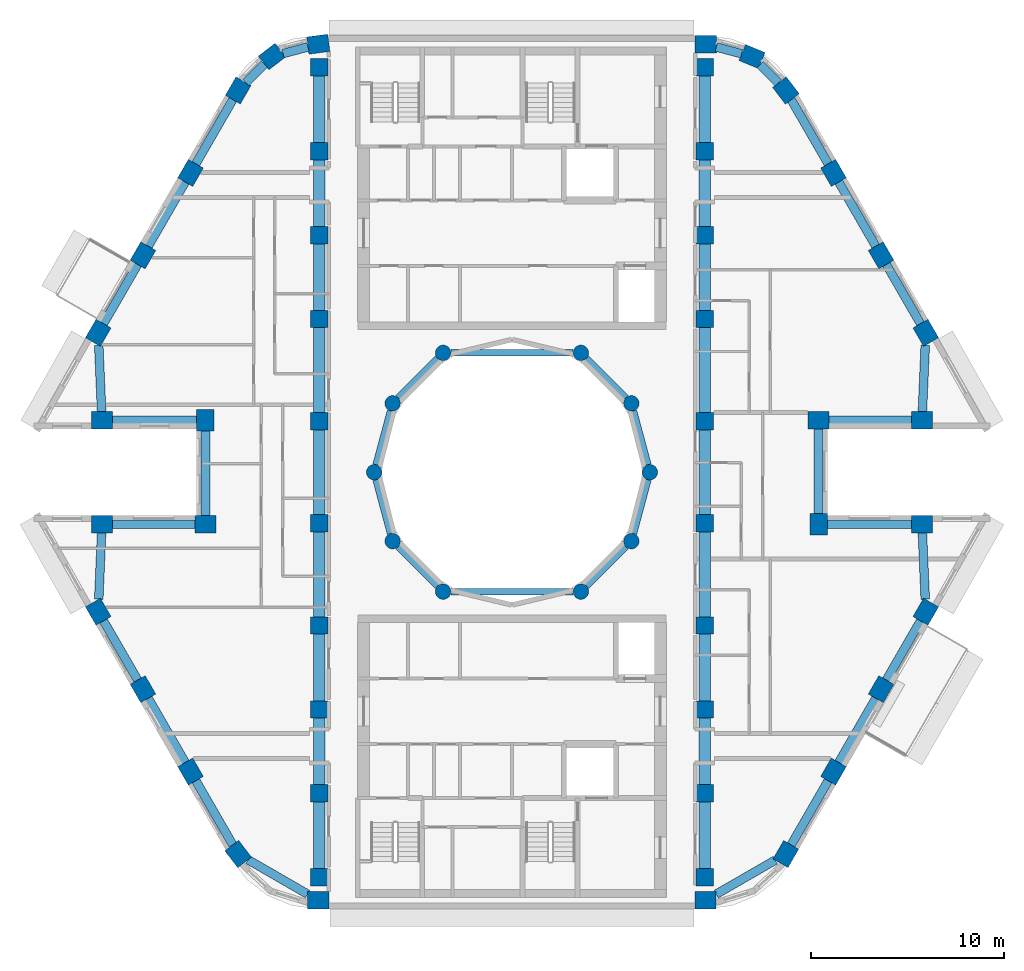
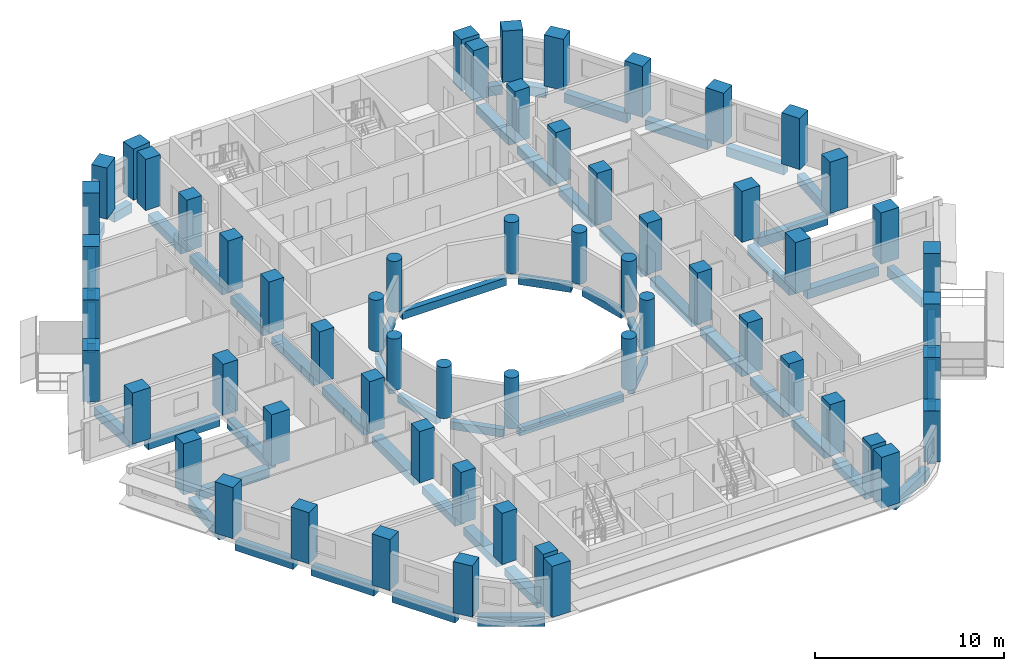
# One storey, part 1 of 14: 60 columns, 56 beams.
"""IFC4 building model written with IfcOpenShell, lengths in metres."""

from ifc_helpers import new_model, si_unit, direction, frame, origin, origin_2d, place, context, subcontext, project, spatial, rectangle, circle, extrude, material, material_profile, profile_set, type_object, element, save


model = new_model("IFC4")

# Units and contexts
model_context = context("Model", 3, precision=1e-05, world=origin(), true_north=direction((0.0, 1.0)))
body_context = subcontext(model_context, "Body", "Model", "MODEL_VIEW")
ifc_project = project(units=[si_unit("LENGTHUNIT", "METRE"), si_unit("AREAUNIT", "SQUARE_METRE"), si_unit("VOLUMEUNIT", "CUBIC_METRE"), si_unit("PLANEANGLEUNIT", "RADIAN"), si_unit("MASSUNIT", "GRAM", prefix="KILO")], contexts=[model_context])

# Site, building, storey
site_placement = place(None, origin())
site = spatial("IfcSite", under=ifc_project, at=site_placement, CompositionType="ELEMENT")
building_placement = place(site_placement, origin())
building = spatial("IfcBuilding", under=site, at=building_placement, Name="Nakaniwa Court", CompositionType="ELEMENT")
storey_placement = place(building_placement, frame((0.0, 0.0, 259.199951171875)))
storey = spatial("IfcBuildingStorey", under=building, at=storey_placement, Name="L68", CompositionType="ELEMENT", Elevation=259.199951171875)

# Columns
ifc_material = material(Name="Concrete C80/100", Category="concrete")
ifc_material_profile_1 = material_profile(ifc_material, rectangle(XDim=1.10009765625, YDim=0.89990234375, at=origin_2d()), Name="Concrete C80/100 RC 1100x900 perimeter column")
ifc_profile_set_1 = profile_set([ifc_material_profile_1], Name="Concrete C80/100")
column_type_1 = type_object("IfcColumnType", Name="Concrete C80/100 RC 1100x900 perimeter column", PredefinedType="COLUMN", material=ifc_profile_set_1)
for number, where, z_axis, x_axis, name in (
    (1, (69.95458984375, 102.199951171875, 0.0), (0.0, 0.0, 1.0), (-0.991442583111, -0.130543496177, 0.0), "COLUMN CO-01"),
    (2, (67.552001953125, 101.560302734375, 0.0), (0.0, 0.0, 1.0), (-0.793363965062, -0.608747582288, 0.0), "COLUMN CO-02"),
    (3, (65.796875, 99.799560546875, 0.0), (0.0, 0.0, 1.0), (-0.5, -0.866025403784, 0.0), "COLUMN CO-03"),
    (4, (63.328857421875, 95.524658203125, 0.0), (0.0, 0.0, 1.0), (-0.5, -0.866025403784, 0.0), "COLUMN CO-04"),
    (5, (60.860595703125, 91.249755859375, 0.0), (0.0, 0.0, 1.0), (-0.5, -0.866025403784, 0.0), "COLUMN CO-05"),
    (6, (58.541015625, 87.232177734375, 0.0), (0.0, 0.0, 1.0), (-0.5, -0.866025403784, 0.0), "COLUMN CO-06"),
    (7, (58.736083984375, 82.699951171875, 0.0), (0.0, 0.0, 1.0), (1.0, 0.0, 0.0), "COLUMN CO-08"),
    (8, (64.1005859375, 82.699951171875, 0.0), (0.0, 0.0, 1.0), (0.0, -1.0, 0.0), "COLUMN CO-09"),
    (9, (64.1005859375, 77.300048828125, 0.0), (0.0, 0.0, 1.0), (-1.0, 0.0, 0.0), "COLUMN CO-10"),
    (10, (58.736083984375, 77.300048828125, 0.0), (0.0, 0.0, 1.0), (-1.0, 0.0, 0.0), "COLUMN CO-11"),
    (11, (58.541015625, 72.767822265625, 0.0), (0.0, 0.0, 1.0), (0.5, -0.866025403784, 0.0), "COLUMN CO-13"),
    (12, (60.860595703125, 68.750244140625, 0.0), (0.0, 0.0, 1.0), (0.5, -0.866025403784, 0.0), "COLUMN CO-14"),
    (13, (63.328857421875, 64.475341796875, 0.0), (0.0, 0.0, 1.0), (0.5, -0.866025403784, 0.0), "COLUMN CO-15"),
    (14, (65.796875, 60.200439453125, 0.0), (0.0, 0.0, 1.0), (0.608761429009, -0.793353340291, 0.0), "COLUMN CO-16"),
    (15, (69.95458984375, 57.800048828125, 0.0), (0.0, 0.0, 1.0), (1.0, 0.0, 0.0), "COLUMN CO-17"),
    (16, (90.03955078125, 57.800048828125, 0.0), (0.0, 0.0, 1.0), (1.0, 0.0, 0.0), "COLUMN CO-21"),
    (17, (94.203125, 60.200439453125, 0.0), (0.0, 0.0, 1.0), (0.5, 0.866025403784, 0.0), "COLUMN CO-22"),
    (18, (96.671142578125, 64.475341796875, 0.0), (0.0, 0.0, 1.0), (0.5, 0.866025403784, 0.0), "COLUMN CO-23"),
    (19, (99.139404296875, 68.750244140625, 0.0), (0.0, 0.0, 1.0), (0.5, 0.866025403784, 0.0), "COLUMN CO-24"),
    (20, (101.458984375, 72.767822265625, 0.0), (0.0, 0.0, 1.0), (0.5, 0.866025403784, 0.0), "COLUMN CO-25"),
    (21, (101.263916015625, 77.300048828125, 0.0), (0.0, 0.0, 1.0), (-1.0, 0.0, 0.0), "COLUMN CO-27"),
    (22, (95.8994140625, 77.300048828125, 0.0), (0.0, 0.0, 1.0), (0.0, 1.0, 0.0), "COLUMN CO-28"),
    (23, (95.8994140625, 82.699951171875, 0.0), (0.0, 0.0, 1.0), (1.0, 0.0, 0.0), "COLUMN CO-29"),
    (24, (101.263916015625, 82.699951171875, 0.0), (0.0, 0.0, 1.0), (1.0, 0.0, 0.0), "COLUMN CO-30"),
    (25, (101.458984375, 87.232177734375, 0.0), (0.0, 0.0, 1.0), (-0.5, 0.866025403784, 0.0), "COLUMN CO-32"),
    (26, (99.139404296875, 91.249755859375, 0.0), (0.0, 0.0, 1.0), (-0.5, 0.866025403784, 0.0), "COLUMN CO-33"),
    (27, (96.671142578125, 95.524658203125, 0.0), (0.0, 0.0, 1.0), (-0.5, 0.866025403784, 0.0), "COLUMN CO-34"),
    (28, (94.203125, 99.799560546875, 0.0), (0.0, 0.0, 1.0), (-0.608761429009, 0.793353340291, 0.0), "COLUMN CO-35"),
    (29, (92.447998046875, 101.560302734375, 0.0), (0.0, 0.0, 1.0), (-0.923879532511, 0.382683432365, 0.0), "COLUMN CO-36"),
    (30, (90.04541015625, 102.199951171875, 0.0), (0.0, 0.0, 1.0), (-1.0, 0.0, 0.0), "COLUMN CO-37"),
):
    element("IfcColumn", number, at=place(storey_placement, frame(where, z_axis=z_axis, x_axis=x_axis)), inside=storey, type_object=column_type_1, Name=name, PredefinedType="COLUMN", context=body_context, shape_type="SweptSolid", body=[
        extrude(rectangle(XDim=1.10009765625, YDim=0.89990234375, at=origin_2d()), origin(), (0.0, 0.0, 1.0), 3.300048828125),
    ])
ifc_material_profile_2 = material_profile(ifc_material, rectangle(XDim=0.89990234375, YDim=0.89990234375, at=origin_2d()), Name="Concrete C80/100 RC 900x900 spine column")
ifc_profile_set_2 = profile_set([ifc_material_profile_2], Name="Concrete C80/100")
column_type_2 = type_object("IfcColumnType", Name="Concrete C80/100 RC 900x900 spine column", PredefinedType="COLUMN", material=ifc_profile_set_2)
for number, where, z_axis, x_axis, name in (
    (31, (90.0, 59.0, 0.0), (0.0, 0.0, 1.0), (0.0, 1.0, 0.0), "COLUMN CS-01"),
    (32, (90.0, 63.35009765625, 0.0), (0.0, 0.0, 1.0), (0.0, 1.0, 0.0), "COLUMN CS-02"),
    (33, (90.0, 67.699951171875, 0.0), (0.0, 0.0, 1.0), (0.0, 1.0, 0.0), "COLUMN CS-03"),
    (34, (90.0, 72.050048828125, 0.0), (0.0, 0.0, 1.0), (0.0, 1.0, 0.0), "COLUMN CS-04"),
    (35, (90.0, 77.35009765625, 0.0), (0.0, 0.0, 1.0), (0.0, 1.0, 0.0), "COLUMN CS-05"),
    (36, (90.0, 82.64990234375, 0.0), (0.0, 0.0, 1.0), (0.0, 1.0, 0.0), "COLUMN CS-06"),
    (37, (90.0, 87.949951171875, 0.0), (0.0, 0.0, 1.0), (0.0, 1.0, 0.0), "COLUMN CS-07"),
    (38, (90.0, 92.300048828125, 0.0), (0.0, 0.0, 1.0), (0.0, 1.0, 0.0), "COLUMN CS-08"),
    (39, (90.0, 96.64990234375, 0.0), (0.0, 0.0, 1.0), (0.0, 1.0, 0.0), "COLUMN CS-09"),
    (40, (90.0, 101.0, 0.0), (0.0, 0.0, 1.0), (0.0, 1.0, 0.0), "COLUMN CS-10"),
    (41, (70.0, 101.0, 0.0), (0.0, 0.0, 1.0), (0.0, -1.0, 0.0), "COLUMN CS-11"),
    (42, (70.0, 96.64990234375, 0.0), (0.0, 0.0, 1.0), (0.0, -1.0, 0.0), "COLUMN CS-12"),
    (43, (70.0, 92.300048828125, 0.0), (0.0, 0.0, 1.0), (0.0, -1.0, 0.0), "COLUMN CS-13"),
    (44, (70.0, 87.949951171875, 0.0), (0.0, 0.0, 1.0), (0.0, -1.0, 0.0), "COLUMN CS-14"),
    (45, (70.0, 82.64990234375, 0.0), (0.0, 0.0, 1.0), (0.0, -1.0, 0.0), "COLUMN CS-15"),
    (46, (70.0, 77.35009765625, 0.0), (0.0, 0.0, 1.0), (0.0, -1.0, 0.0), "COLUMN CS-16"),
    (47, (70.0, 72.050048828125, 0.0), (0.0, 0.0, 1.0), (0.0, -1.0, 0.0), "COLUMN CS-17"),
    (48, (70.0, 67.699951171875, 0.0), (0.0, 0.0, 1.0), (0.0, -1.0, 0.0), "COLUMN CS-18"),
    (49, (70.0, 63.35009765625, 0.0), (0.0, 0.0, 1.0), (0.0, -1.0, 0.0), "COLUMN CS-19"),
    (50, (70.0, 59.0, 0.0), (0.0, 0.0, 1.0), (0.0, -1.0, 0.0), "COLUMN CS-20"),
):
    element("IfcColumn", number, at=place(storey_placement, frame(where, z_axis=z_axis, x_axis=x_axis)), inside=storey, type_object=column_type_2, Name=name, PredefinedType="COLUMN", context=body_context, shape_type="SweptSolid", body=[
        extrude(rectangle(XDim=0.89990234375, YDim=0.89990234375, at=origin_2d()), origin(), (0.0, 0.0, 1.0), 3.300048828125),
    ])
ifc_material_profile_3 = material_profile(ifc_material, circle(Radius=0.39990234375, at=origin_2d()), Name="Concrete C80/100 RC D800 inner ring column")
ifc_profile_set_3 = profile_set([ifc_material_profile_3], Name="Concrete C80/100")
column_type_3 = type_object("IfcColumnType", Name="Concrete C80/100 RC D800 inner ring column", PredefinedType="COLUMN", material=ifc_profile_set_3)
for number, where, z_axis, x_axis, name in (
    (51, (87.14990234375, 80.0, 0.0), (0.0, 0.0, 1.0), (0.0, 1.0, 0.0), "COLUMN CI-01"),
    (52, (86.192138671875, 83.574951171875, 0.0), (0.0, 0.0, 1.0), (-0.5, 0.866025403784, 0.0), "COLUMN CI-02"),
    (53, (83.574951171875, 86.192138671875, 0.0), (0.0, 0.0, 1.0), (-0.866025403784, 0.5, 0.0), "COLUMN CI-03"),
    (54, (76.425048828125, 86.192138671875, 0.0), (0.0, 0.0, 1.0), (-0.866025403784, -0.5, 0.0), "COLUMN CI-05"),
    (55, (73.807861328125, 83.574951171875, 0.0), (0.0, 0.0, 1.0), (-0.5, -0.866025403784, 0.0), "COLUMN CI-06"),
    (56, (72.85009765625, 80.0, 0.0), (0.0, 0.0, 1.0), (0.0, -1.0, 0.0), "COLUMN CI-07"),
    (57, (73.807861328125, 76.425048828125, 0.0), (0.0, 0.0, 1.0), (0.5, -0.866025403784, 0.0), "COLUMN CI-08"),
    (58, (76.425048828125, 73.807861328125, 0.0), (0.0, 0.0, 1.0), (0.866025403784, -0.5, 0.0), "COLUMN CI-09"),
    (59, (83.574951171875, 73.807861328125, 0.0), (0.0, 0.0, 1.0), (0.866025403784, 0.5, 0.0), "COLUMN CI-11"),
    (60, (86.192138671875, 76.425048828125, 0.0), (0.0, 0.0, 1.0), (0.5, 0.866025403784, 0.0), "COLUMN CI-12"),
):
    element("IfcColumn", number, at=place(storey_placement, frame(where, z_axis=z_axis, x_axis=x_axis)), inside=storey, type_object=column_type_3, Name=name, PredefinedType="COLUMN", context=body_context, shape_type="SweptSolid", body=[
        extrude(circle(Radius=0.39990234375, at=origin_2d()), origin(), (0.0, 0.0, 1.0), 3.300048828125),
    ])

# Beams
ifc_material_profile_4 = material_profile(ifc_material, rectangle(XDim=0.35009765625, YDim=0.5, at=origin_2d()), Name="Concrete C80/100 RC 350x500 ring beam")
ifc_profile_set_4 = profile_set([ifc_material_profile_4], Name="Concrete C80/100")
beam_type_1 = type_object("IfcBeamType", Name="Concrete C80/100 RC 350x500 ring beam", PredefinedType="BEAM", material=ifc_profile_set_4)
beam_1_placement = place(storey_placement, frame((87.04638671875, 80.386474609375, -0.52490234375), z_axis=(-0.258778150207, 0.965936783115, 0.0), x_axis=(-0.965936783115, -0.258778150207, 0.0)))
element("IfcBeam", 61, at=beam_1_placement, inside=storey, type_object=beam_type_1, Name="RING BEAM", PredefinedType="BEAM", context=body_context, shape_type="SweptSolid", body=[
    extrude(rectangle(XDim=0.35009765625, YDim=0.5, at=origin_2d()), origin(), (0.0, 0.0, 1.0), 2.901123046875),
])
beam_2_placement = place(storey_placement, frame((85.9091796875, 83.85791015625, -0.52490234375), z_axis=(-0.707106781187, 0.707106781187, 0.0), x_axis=(-0.707106781187, -0.707106781187, 0.0)))
element("IfcBeam", 62, at=beam_2_placement, inside=storey, type_object=beam_type_1, Name="RING BEAM", PredefinedType="BEAM", context=body_context, shape_type="SweptSolid", body=[
    extrude(rectangle(XDim=0.35009765625, YDim=0.5, at=origin_2d()), origin(), (0.0, 0.0, 1.0), 2.90087890625),
])
beam_3_placement = place(storey_placement, frame((83.175048828125, 86.192138671875, -0.52490234375), z_axis=(-1.0, 0.0, 0.0), x_axis=(0.0, -1.0, 0.0)))
element("IfcBeam", 63, at=beam_3_placement, inside=storey, type_object=beam_type_1, Name="RING BEAM", PredefinedType="BEAM", context=body_context, shape_type="SweptSolid", body=[
    extrude(rectangle(XDim=0.35009765625, YDim=0.5, at=origin_2d()), origin(), (0.0, 0.0, 1.0), 6.35009765625),
])
beam_4_placement = place(storey_placement, frame((76.14208984375, 85.9091796875, -0.52490234375), z_axis=(-0.707106781187, -0.707106781187, 0.0), x_axis=(0.707106781187, -0.707106781187, 0.0)))
element("IfcBeam", 64, at=beam_4_placement, inside=storey, type_object=beam_type_1, Name="RING BEAM", PredefinedType="BEAM", context=body_context, shape_type="SweptSolid", body=[
    extrude(rectangle(XDim=0.35009765625, YDim=0.5, at=origin_2d()), origin(), (0.0, 0.0, 1.0), 2.90087890625),
])
for number, where, z_axis, x_axis, name in (
    (65, (73.704345703125, 83.188720703125, -0.52490234375), (-0.258778150207, -0.965936783115, 0.0), (0.965936783115, -0.258778150207, 0.0), "RING BEAM"),
    (66, (72.95361328125, 79.613525390625, -0.52490234375), (0.258778150207, -0.965936783115, 0.0), (0.965936783115, 0.258778150207, 0.0), "RING BEAM"),
):
    element("IfcBeam", number, at=place(storey_placement, frame(where, z_axis=z_axis, x_axis=x_axis)), inside=storey, type_object=beam_type_1, Name=name, PredefinedType="BEAM", context=body_context, shape_type="SweptSolid", body=[
        extrude(rectangle(XDim=0.35009765625, YDim=0.5, at=origin_2d()), origin(), (0.0, 0.0, 1.0), 2.901123046875),
    ])
beam_5_placement = place(storey_placement, frame((74.0908203125, 76.14208984375, -0.52490234375), z_axis=(0.707106781187, -0.707106781187, 0.0), x_axis=(0.707106781187, 0.707106781187, 0.0)))
element("IfcBeam", 67, at=beam_5_placement, inside=storey, type_object=beam_type_1, Name="RING BEAM", PredefinedType="BEAM", context=body_context, shape_type="SweptSolid", body=[
    extrude(rectangle(XDim=0.35009765625, YDim=0.5, at=origin_2d()), origin(), (0.0, 0.0, 1.0), 2.90087890625),
])
beam_6_placement = place(storey_placement, frame((76.824951171875, 73.807861328125, -0.52490234375), z_axis=(1.0, 0.0, 0.0), x_axis=(0.0, 1.0, 0.0)))
element("IfcBeam", 68, at=beam_6_placement, inside=storey, type_object=beam_type_1, Name="RING BEAM", PredefinedType="BEAM", context=body_context, shape_type="SweptSolid", body=[
    extrude(rectangle(XDim=0.35009765625, YDim=0.5, at=origin_2d()), origin(), (0.0, 0.0, 1.0), 6.35009765625),
])
beam_7_placement = place(storey_placement, frame((83.85791015625, 74.0908203125, -0.52490234375), z_axis=(0.707106781187, 0.707106781187, 0.0), x_axis=(-0.707106781187, 0.707106781187, 0.0)))
element("IfcBeam", 69, at=beam_7_placement, inside=storey, type_object=beam_type_1, Name="RING BEAM", PredefinedType="BEAM", context=body_context, shape_type="SweptSolid", body=[
    extrude(rectangle(XDim=0.35009765625, YDim=0.5, at=origin_2d()), origin(), (0.0, 0.0, 1.0), 2.90087890625),
])
beam_8_placement = place(storey_placement, frame((86.295654296875, 76.811279296875, -0.52490234375), z_axis=(0.258778150207, 0.965936783115, 0.0), x_axis=(-0.965936783115, 0.258778150207, 0.0)))
element("IfcBeam", 70, at=beam_8_placement, inside=storey, type_object=beam_type_1, Name="RING BEAM", PredefinedType="BEAM", context=body_context, shape_type="SweptSolid", body=[
    extrude(rectangle(XDim=0.35009765625, YDim=0.5, at=origin_2d()), origin(), (0.0, 0.0, 1.0), 2.901123046875),
])
ifc_material_profile_5 = material_profile(ifc_material, rectangle(XDim=0.449951171875, YDim=0.60009765625, at=origin_2d()), Name="Concrete C80/100 RC 450x600 spandrel beam")
ifc_profile_set_5 = profile_set([ifc_material_profile_5], Name="Concrete C80/100")
beam_type_2 = type_object("IfcBeamType", Name="Concrete C80/100 RC 450x600 spandrel beam", PredefinedType="BEAM", material=ifc_profile_set_5)
beam_9_placement = place(storey_placement, frame((69.418701171875, 102.057373046875, -0.574951171875), z_axis=(-0.966286479475, -0.257469298332, 0.0), x_axis=(0.257469298332, -0.966286479475, 0.0)))
element("IfcBeam", 71, at=beam_9_placement, inside=storey, type_object=beam_type_2, Name="SPANDREL BEAM", PredefinedType="BEAM", context=body_context, shape_type="SweptSolid", body=[
    extrude(rectangle(XDim=0.449951171875, YDim=0.60009765625, at=origin_2d()), origin(), (0.0, 0.0, 1.0), 1.3359375),
])
beam_10_placement = place(storey_placement, frame((67.160400390625, 101.167236328125, -0.574951171875), z_axis=(-0.706030517025, -0.708181409689, 0.0), x_axis=(0.708181409689, -0.706030517025, 0.0)))
element("IfcBeam", 72, at=beam_10_placement, inside=storey, type_object=beam_type_2, Name="SPANDREL BEAM", PredefinedType="BEAM", context=body_context, shape_type="SweptSolid", body=[
    extrude(rectangle(XDim=0.449951171875, YDim=0.60009765625, at=origin_2d()), origin(), (0.0, 0.0, 1.0), 1.362060546875),
])
for number, where, z_axis, x_axis, name in (
    (73, (65.52197265625, 99.3232421875, -0.574951171875), (-0.50001992892, -0.866013897511, 0.0), (0.866013897511, -0.50001992892, 0.0), "SPANDREL BEAM"),
    (74, (63.0537109375, 95.04833984375, -0.574951171875), (-0.499972197867, -0.866041454758, 0.0), (0.866041454758, -0.499972197867, 0.0), "SPANDREL BEAM"),
):
    element("IfcBeam", number, at=place(storey_placement, frame(where, z_axis=z_axis, x_axis=x_axis)), inside=storey, type_object=beam_type_2, Name=name, PredefinedType="BEAM", context=body_context, shape_type="SweptSolid", body=[
        extrude(rectangle(XDim=0.449951171875, YDim=0.60009765625, at=origin_2d()), origin(), (0.0, 0.0, 1.0), 3.836181640625),
    ])
beam_11_placement = place(storey_placement, frame((60.585693359375, 90.7734375, -0.574951171875), z_axis=(-0.499997139945, -0.866027055032, 0.0), x_axis=(0.866027055032, -0.499997139945, 0.0)))
element("IfcBeam", 75, at=beam_11_placement, inside=storey, type_object=beam_type_2, Name="SPANDREL BEAM", PredefinedType="BEAM", context=body_context, shape_type="SweptSolid", body=[
    extrude(rectangle(XDim=0.449951171875, YDim=0.60009765625, at=origin_2d()), origin(), (0.0, 0.0, 1.0), 3.5390625),
])
beam_12_placement = place(storey_placement, frame((58.569091796875, 86.580810546875, -0.574951171875), z_axis=(0.042940503042, -0.999077631217, 0.0), x_axis=(0.999077631217, 0.042940503042, 0.0)))
element("IfcBeam", 76, at=beam_12_placement, inside=storey, type_object=beam_type_2, Name="SPANDREL BEAM", PredefinedType="BEAM", context=body_context, shape_type="SweptSolid", body=[
    extrude(rectangle(XDim=0.449951171875, YDim=0.60009765625, at=origin_2d()), origin(), (0.0, 0.0, 1.0), 3.43408203125),
])
beam_13_placement = place(storey_placement, frame((59.285888671875, 82.699951171875, -0.574951171875), z_axis=(1.0, 0.0, 0.0), x_axis=(0.0, 1.0, 0.0)))
element("IfcBeam", 77, at=beam_13_placement, inside=storey, type_object=beam_type_2, Name="SPANDREL BEAM", PredefinedType="BEAM", context=body_context, shape_type="SweptSolid", body=[
    extrude(rectangle(XDim=0.449951171875, YDim=0.60009765625, at=origin_2d()), origin(), (0.0, 0.0, 1.0), 4.364501953125),
])
beam_14_placement = place(storey_placement, frame((64.1005859375, 82.14990234375, -0.574951171875), z_axis=(0.0, -1.0, 0.0), x_axis=(1.0, 0.0, 0.0)))
element("IfcBeam", 78, at=beam_14_placement, inside=storey, type_object=beam_type_2, Name="SPANDREL BEAM", PredefinedType="BEAM", context=body_context, shape_type="SweptSolid", body=[
    extrude(rectangle(XDim=0.449951171875, YDim=0.60009765625, at=origin_2d()), origin(), (0.0, 0.0, 1.0), 4.39990234375),
])
beam_15_placement = place(storey_placement, frame((63.550537109375, 77.300048828125, -0.574951171875), z_axis=(-1.0, 0.0, 0.0), x_axis=(0.0, -1.0, 0.0)))
element("IfcBeam", 79, at=beam_15_placement, inside=storey, type_object=beam_type_2, Name="SPANDREL BEAM", PredefinedType="BEAM", context=body_context, shape_type="SweptSolid", body=[
    extrude(rectangle(XDim=0.449951171875, YDim=0.60009765625, at=origin_2d()), origin(), (0.0, 0.0, 1.0), 4.2646484375),
])
beam_16_placement = place(storey_placement, frame((58.716552734375, 76.85009765625, -0.574951171875), z_axis=(-0.042940503042, -0.999077631217, 0.0), x_axis=(0.999077631217, -0.042940503042, 0.0)))
element("IfcBeam", 80, at=beam_16_placement, inside=storey, type_object=beam_type_2, Name="SPANDREL BEAM", PredefinedType="BEAM", context=body_context, shape_type="SweptSolid", body=[
    extrude(rectangle(XDim=0.449951171875, YDim=0.60009765625, at=origin_2d()), origin(), (0.0, 0.0, 1.0), 3.43408203125),
])
beam_17_placement = place(storey_placement, frame((58.816162109375, 72.29150390625, -0.574951171875), z_axis=(0.499997139945, -0.866027055032, 0.0), x_axis=(0.866027055032, 0.499997139945, 0.0)))
element("IfcBeam", 81, at=beam_17_placement, inside=storey, type_object=beam_type_2, Name="SPANDREL BEAM", PredefinedType="BEAM", context=body_context, shape_type="SweptSolid", body=[
    extrude(rectangle(XDim=0.449951171875, YDim=0.60009765625, at=origin_2d()), origin(), (0.0, 0.0, 1.0), 3.5390625),
])
beam_18_placement = place(storey_placement, frame((61.1357421875, 68.27392578125, -0.574951171875), z_axis=(0.499972197867, -0.866041454758, 0.0), x_axis=(0.866041454758, 0.499972197867, 0.0)))
element("IfcBeam", 82, at=beam_18_placement, inside=storey, type_object=beam_type_2, Name="SPANDREL BEAM", PredefinedType="BEAM", context=body_context, shape_type="SweptSolid", body=[
    extrude(rectangle(XDim=0.449951171875, YDim=0.60009765625, at=origin_2d()), origin(), (0.0, 0.0, 1.0), 3.836181640625),
])
beam_19_placement = place(storey_placement, frame((63.603759765625, 63.9990234375, -0.574951171875), z_axis=(0.500011110731, -0.866018988906, 0.0), x_axis=(0.866018988906, 0.500011110731, 0.0)))
element("IfcBeam", 83, at=beam_19_placement, inside=storey, type_object=beam_type_2, Name="SPANDREL BEAM", PredefinedType="BEAM", context=body_context, shape_type="SweptSolid", body=[
    extrude(rectangle(XDim=0.449951171875, YDim=0.60009765625, at=origin_2d()), origin(), (0.0, 0.0, 1.0), 3.83154296875),
])
beam_20_placement = place(storey_placement, frame((66.3125, 59.90283203125, -0.574951171875), z_axis=(0.866017069707, -0.500014434768, 0.0), x_axis=(0.500014434768, 0.866017069707, 0.0)))
element("IfcBeam", 84, at=beam_20_placement, inside=storey, type_object=beam_type_2, Name="SPANDREL BEAM", PredefinedType="BEAM", context=body_context, shape_type="SweptSolid", body=[
    extrude(rectangle(XDim=0.449951171875, YDim=0.60009765625, at=origin_2d()), origin(), (0.0, 0.0, 1.0), 3.57080078125),
])
beam_21_placement = place(storey_placement, frame((90.589599609375, 58.1171875, -0.574951171875), z_axis=(0.866307414098, 0.499511225378, 0.0), x_axis=(-0.499511225378, 0.866307414098, 0.0)))
element("IfcBeam", 85, at=beam_21_placement, inside=storey, type_object=beam_type_2, Name="SPANDREL BEAM", PredefinedType="BEAM", context=body_context, shape_type="SweptSolid", body=[
    extrude(rectangle(XDim=0.449951171875, YDim=0.60009765625, at=origin_2d()), origin(), (0.0, 0.0, 1.0), 3.53564453125),
])
for number, where, z_axis, x_axis, name in (
    (86, (94.47802734375, 60.6767578125, -0.574951171875), (0.50001992892, 0.866013897511, 0.0), (-0.866013897511, 0.50001992892, 0.0), "SPANDREL BEAM"),
    (87, (96.9462890625, 64.95166015625, -0.574951171875), (0.499972197867, 0.866041454758, 0.0), (-0.866041454758, 0.499972197867, 0.0), "SPANDREL BEAM"),
):
    element("IfcBeam", number, at=place(storey_placement, frame(where, z_axis=z_axis, x_axis=x_axis)), inside=storey, type_object=beam_type_2, Name=name, PredefinedType="BEAM", context=body_context, shape_type="SweptSolid", body=[
        extrude(rectangle(XDim=0.449951171875, YDim=0.60009765625, at=origin_2d()), origin(), (0.0, 0.0, 1.0), 3.836181640625),
    ])
beam_22_placement = place(storey_placement, frame((99.414306640625, 69.2265625, -0.574951171875), z_axis=(0.499997139945, 0.866027055032, 0.0), x_axis=(-0.866027055032, 0.499997139945, 0.0)))
element("IfcBeam", 88, at=beam_22_placement, inside=storey, type_object=beam_type_2, Name="SPANDREL BEAM", PredefinedType="BEAM", context=body_context, shape_type="SweptSolid", body=[
    extrude(rectangle(XDim=0.449951171875, YDim=0.60009765625, at=origin_2d()), origin(), (0.0, 0.0, 1.0), 3.5390625),
])
beam_23_placement = place(storey_placement, frame((101.430908203125, 73.419189453125, -0.574951171875), z_axis=(-0.042940503042, 0.999077631217, 0.0), x_axis=(-0.999077631217, -0.042940503042, 0.0)))
element("IfcBeam", 89, at=beam_23_placement, inside=storey, type_object=beam_type_2, Name="SPANDREL BEAM", PredefinedType="BEAM", context=body_context, shape_type="SweptSolid", body=[
    extrude(rectangle(XDim=0.449951171875, YDim=0.60009765625, at=origin_2d()), origin(), (0.0, 0.0, 1.0), 3.43408203125),
])
beam_24_placement = place(storey_placement, frame((100.714111328125, 77.300048828125, -0.574951171875), z_axis=(-1.0, 0.0, 0.0), x_axis=(0.0, -1.0, 0.0)))
element("IfcBeam", 90, at=beam_24_placement, inside=storey, type_object=beam_type_2, Name="SPANDREL BEAM", PredefinedType="BEAM", context=body_context, shape_type="SweptSolid", body=[
    extrude(rectangle(XDim=0.449951171875, YDim=0.60009765625, at=origin_2d()), origin(), (0.0, 0.0, 1.0), 4.364501953125),
])
beam_25_placement = place(storey_placement, frame((95.8994140625, 77.85009765625, -0.574951171875), z_axis=(0.0, 1.0, 0.0), x_axis=(-1.0, 0.0, 0.0)))
element("IfcBeam", 91, at=beam_25_placement, inside=storey, type_object=beam_type_2, Name="SPANDREL BEAM", PredefinedType="BEAM", context=body_context, shape_type="SweptSolid", body=[
    extrude(rectangle(XDim=0.449951171875, YDim=0.60009765625, at=origin_2d()), origin(), (0.0, 0.0, 1.0), 4.39990234375),
])
beam_26_placement = place(storey_placement, frame((96.449462890625, 82.699951171875, -0.574951171875), z_axis=(1.0, 0.0, 0.0), x_axis=(0.0, 1.0, 0.0)))
element("IfcBeam", 92, at=beam_26_placement, inside=storey, type_object=beam_type_2, Name="SPANDREL BEAM", PredefinedType="BEAM", context=body_context, shape_type="SweptSolid", body=[
    extrude(rectangle(XDim=0.449951171875, YDim=0.60009765625, at=origin_2d()), origin(), (0.0, 0.0, 1.0), 4.2646484375),
])
beam_27_placement = place(storey_placement, frame((101.283447265625, 83.14990234375, -0.574951171875), z_axis=(0.042940503042, 0.999077631217, 0.0), x_axis=(-0.999077631217, 0.042940503042, 0.0)))
element("IfcBeam", 93, at=beam_27_placement, inside=storey, type_object=beam_type_2, Name="SPANDREL BEAM", PredefinedType="BEAM", context=body_context, shape_type="SweptSolid", body=[
    extrude(rectangle(XDim=0.449951171875, YDim=0.60009765625, at=origin_2d()), origin(), (0.0, 0.0, 1.0), 3.43408203125),
])
beam_28_placement = place(storey_placement, frame((101.183837890625, 87.70849609375, -0.574951171875), z_axis=(-0.499997139945, 0.866027055032, 0.0), x_axis=(-0.866027055032, -0.499997139945, 0.0)))
element("IfcBeam", 94, at=beam_28_placement, inside=storey, type_object=beam_type_2, Name="SPANDREL BEAM", PredefinedType="BEAM", context=body_context, shape_type="SweptSolid", body=[
    extrude(rectangle(XDim=0.449951171875, YDim=0.60009765625, at=origin_2d()), origin(), (0.0, 0.0, 1.0), 3.5390625),
])
beam_29_placement = place(storey_placement, frame((98.8642578125, 91.72607421875, -0.574951171875), z_axis=(-0.499972197867, 0.866041454758, 0.0), x_axis=(-0.866041454758, -0.499972197867, 0.0)))
element("IfcBeam", 95, at=beam_29_placement, inside=storey, type_object=beam_type_2, Name="SPANDREL BEAM", PredefinedType="BEAM", context=body_context, shape_type="SweptSolid", body=[
    extrude(rectangle(XDim=0.449951171875, YDim=0.60009765625, at=origin_2d()), origin(), (0.0, 0.0, 1.0), 3.836181640625),
])
beam_30_placement = place(storey_placement, frame((96.396240234375, 96.0009765625, -0.574951171875), z_axis=(-0.500011110731, 0.866018988906, 0.0), x_axis=(-0.866018988906, -0.500011110731, 0.0)))
element("IfcBeam", 96, at=beam_30_placement, inside=storey, type_object=beam_type_2, Name="SPANDREL BEAM", PredefinedType="BEAM", context=body_context, shape_type="SweptSolid", body=[
    extrude(rectangle(XDim=0.449951171875, YDim=0.60009765625, at=origin_2d()), origin(), (0.0, 0.0, 1.0), 3.83154296875),
])
beam_31_placement = place(storey_placement, frame((93.8115234375, 100.1923828125, -0.574951171875), z_axis=(-0.706100745773, 0.708111387296, 0.0), x_axis=(-0.708111387296, -0.706100745773, 0.0)))
element("IfcBeam", 97, at=beam_31_placement, inside=storey, type_object=beam_type_2, Name="SPANDREL BEAM", PredefinedType="BEAM", context=body_context, shape_type="SweptSolid", body=[
    extrude(rectangle(XDim=0.449951171875, YDim=0.60009765625, at=origin_2d()), origin(), (0.0, 0.0, 1.0), 1.335693359375),
])
beam_32_placement = place(storey_placement, frame((91.91162109375, 101.702880859375, -0.574951171875), z_axis=(-0.966318174979, 0.257350315146, 0.0), x_axis=(-0.257350315146, -0.966318174979, 0.0)))
element("IfcBeam", 98, at=beam_32_placement, inside=storey, type_object=beam_type_2, Name="SPANDREL BEAM", PredefinedType="BEAM", context=body_context, shape_type="SweptSolid", body=[
    extrude(rectangle(XDim=0.449951171875, YDim=0.60009765625, at=origin_2d()), origin(), (0.0, 0.0, 1.0), 1.3623046875),
])
ifc_material_profile_6 = material_profile(ifc_material, rectangle(XDim=0.60009765625, YDim=0.5, at=origin_2d()), Name="Concrete C80/100 RC 600x500 ring beam")
ifc_profile_set_6 = profile_set([ifc_material_profile_6], Name="Concrete C80/100")
beam_type_3 = type_object("IfcBeamType", Name="Concrete C80/100 RC 600x500 ring beam", PredefinedType="BEAM", material=ifc_profile_set_6)
for number, where, z_axis, x_axis, name in (
    (99, (90.0, 59.449951171875, -0.52490234375), (0.0, 1.0, 0.0), (-1.0, 0.0, 0.0), "RING BEAM"),
    (100, (90.0, 63.800048828125, -0.52490234375), (0.0, 1.0, 0.0), (-1.0, 0.0, 0.0), "RING BEAM"),
):
    element("IfcBeam", number, at=place(storey_placement, frame(where, z_axis=z_axis, x_axis=x_axis)), inside=storey, type_object=beam_type_3, Name=name, PredefinedType="BEAM", context=body_context, shape_type="SweptSolid", body=[
        extrude(rectangle(XDim=0.60009765625, YDim=0.5, at=origin_2d()), origin(), (0.0, 0.0, 1.0), 3.449951171875),
    ])
beam_33_placement = place(storey_placement, frame((90.0, 68.14990234375, -0.52490234375), z_axis=(0.0, 1.0, 0.0), x_axis=(-1.0, 0.0, 0.0)))
element("IfcBeam", 101, at=beam_33_placement, inside=storey, type_object=beam_type_3, Name="RING BEAM", PredefinedType="BEAM", context=body_context, shape_type="SweptSolid", body=[
    extrude(rectangle(XDim=0.60009765625, YDim=0.5, at=origin_2d()), origin(), (0.0, 0.0, 1.0), 3.4501953125),
])
for number, where, z_axis, x_axis, name in (
    (102, (90.0, 72.5, -0.52490234375), (0.0, 1.0, 0.0), (-1.0, 0.0, 0.0), "RING BEAM"),
    (103, (90.0, 77.800048828125, -0.52490234375), (0.0, 1.0, 0.0), (-1.0, 0.0, 0.0), "RING BEAM"),
    (104, (90.0, 83.10009765625, -0.52490234375), (0.0, 1.0, 0.0), (-1.0, 0.0, 0.0), "RING BEAM"),
):
    element("IfcBeam", number, at=place(storey_placement, frame(where, z_axis=z_axis, x_axis=x_axis)), inside=storey, type_object=beam_type_3, Name=name, PredefinedType="BEAM", context=body_context, shape_type="SweptSolid", body=[
        extrude(rectangle(XDim=0.60009765625, YDim=0.5, at=origin_2d()), origin(), (0.0, 0.0, 1.0), 4.39990234375),
    ])
beam_34_placement = place(storey_placement, frame((90.0, 88.39990234375, -0.52490234375), z_axis=(0.0, 1.0, 0.0), x_axis=(-1.0, 0.0, 0.0)))
element("IfcBeam", 105, at=beam_34_placement, inside=storey, type_object=beam_type_3, Name="RING BEAM", PredefinedType="BEAM", context=body_context, shape_type="SweptSolid", body=[
    extrude(rectangle(XDim=0.60009765625, YDim=0.5, at=origin_2d()), origin(), (0.0, 0.0, 1.0), 3.4501953125),
])
for number, where, z_axis, x_axis, name in (
    (106, (90.0, 92.75, -0.52490234375), (0.0, 1.0, 0.0), (-1.0, 0.0, 0.0), "RING BEAM"),
    (107, (90.0, 97.10009765625, -0.52490234375), (0.0, 1.0, 0.0), (-1.0, 0.0, 0.0), "RING BEAM"),
    (108, (70.0, 100.550048828125, -0.52490234375), (0.0, -1.0, 0.0), (1.0, 0.0, 0.0), "RING BEAM"),
    (109, (70.0, 96.199951171875, -0.52490234375), (0.0, -1.0, 0.0), (1.0, 0.0, 0.0), "RING BEAM"),
):
    element("IfcBeam", number, at=place(storey_placement, frame(where, z_axis=z_axis, x_axis=x_axis)), inside=storey, type_object=beam_type_3, Name=name, PredefinedType="BEAM", context=body_context, shape_type="SweptSolid", body=[
        extrude(rectangle(XDim=0.60009765625, YDim=0.5, at=origin_2d()), origin(), (0.0, 0.0, 1.0), 3.449951171875),
    ])
beam_35_placement = place(storey_placement, frame((70.0, 91.85009765625, -0.52490234375), z_axis=(0.0, -1.0, 0.0), x_axis=(1.0, 0.0, 0.0)))
element("IfcBeam", 110, at=beam_35_placement, inside=storey, type_object=beam_type_3, Name="RING BEAM", PredefinedType="BEAM", context=body_context, shape_type="SweptSolid", body=[
    extrude(rectangle(XDim=0.60009765625, YDim=0.5, at=origin_2d()), origin(), (0.0, 0.0, 1.0), 3.4501953125),
])
for number, where, z_axis, x_axis, name in (
    (111, (70.0, 87.5, -0.52490234375), (0.0, -1.0, 0.0), (1.0, 0.0, 0.0), "RING BEAM"),
    (112, (70.0, 82.199951171875, -0.52490234375), (0.0, -1.0, 0.0), (1.0, 0.0, 0.0), "RING BEAM"),
    (113, (70.0, 76.89990234375, -0.52490234375), (0.0, -1.0, 0.0), (1.0, 0.0, 0.0), "RING BEAM"),
):
    element("IfcBeam", number, at=place(storey_placement, frame(where, z_axis=z_axis, x_axis=x_axis)), inside=storey, type_object=beam_type_3, Name=name, PredefinedType="BEAM", context=body_context, shape_type="SweptSolid", body=[
        extrude(rectangle(XDim=0.60009765625, YDim=0.5, at=origin_2d()), origin(), (0.0, 0.0, 1.0), 4.39990234375),
    ])
beam_36_placement = place(storey_placement, frame((70.0, 71.60009765625, -0.52490234375), z_axis=(0.0, -1.0, 0.0), x_axis=(1.0, 0.0, 0.0)))
element("IfcBeam", 114, at=beam_36_placement, inside=storey, type_object=beam_type_3, Name="RING BEAM", PredefinedType="BEAM", context=body_context, shape_type="SweptSolid", body=[
    extrude(rectangle(XDim=0.60009765625, YDim=0.5, at=origin_2d()), origin(), (0.0, 0.0, 1.0), 3.4501953125),
])
for number, where, z_axis, x_axis, name in (
    (115, (70.0, 67.25, -0.52490234375), (0.0, -1.0, 0.0), (1.0, 0.0, 0.0), "RING BEAM"),
    (116, (70.0, 62.89990234375, -0.52490234375), (0.0, -1.0, 0.0), (1.0, 0.0, 0.0), "RING BEAM"),
):
    element("IfcBeam", number, at=place(storey_placement, frame(where, z_axis=z_axis, x_axis=x_axis)), inside=storey, type_object=beam_type_3, Name=name, PredefinedType="BEAM", context=body_context, shape_type="SweptSolid", body=[
        extrude(rectangle(XDim=0.60009765625, YDim=0.5, at=origin_2d()), origin(), (0.0, 0.0, 1.0), 3.449951171875),
    ])

save(model, "model.ifc")
